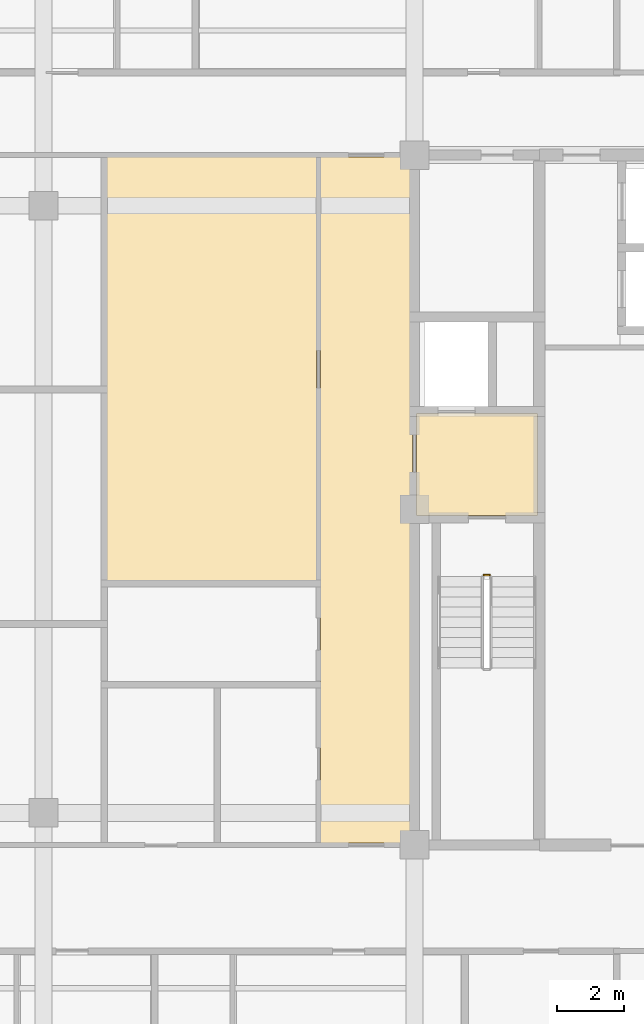
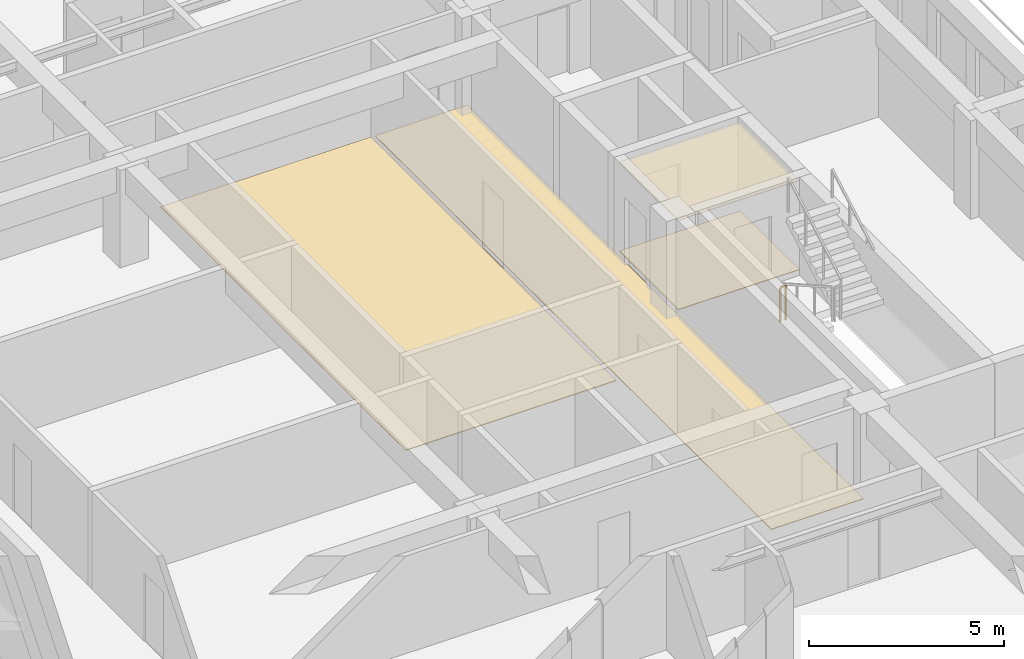
# One storey, part 13 of 14: 4 coverings, 1 railing.
"""IFC4 building model written with IfcOpenShell, lengths in metres."""

import ifcopenshell
import ifcopenshell.guid

model = None  # the IFC model being written
_history = None  # IfcOwnerHistory: only IFC2X3 demands one
_inside = {}  # id of a spatial element -> (the spatial element, [elements in it])
_under = {}  # id of a project, library or spatial element -> (it, [spatial elements below it])
_declared = {}  # id of a project -> (the project, [libraries it declares])
_typed = {}  # id of a type object -> (the type object, [elements of that type])
_made_of = {}  # id of a material, layer set ... -> (it, [elements and type objects made of it])


def new_model(schema):
    """Start an empty IFC model of exactly this schema.

    Asked for "IFC4X3", IfcOpenShell would pick the latest addendum, in which some entities
    have other attributes; the version numbers below select the first issue.
    IFC2X3 requires an IfcOwnerHistory on every rooted entity: one is made here for all.
    """
    global model, _history
    if schema == "IFC4X3":
        model = ifcopenshell.file(schema_version=(4, 3, 0, 0))
    else:
        model = ifcopenshell.file(schema=schema)
    _inside.clear()
    _under.clear()
    _declared.clear()
    _typed.clear()
    _made_of.clear()
    _history = None
    if model.schema == "IFC2X3":
        org = make("IfcOrganization", Name="unknown")
        user = make(
            "IfcPersonAndOrganization",
            ThePerson=make("IfcPerson", FamilyName="unknown"),
            TheOrganization=org,
        )
        app = make(
            "IfcApplication",
            ApplicationDeveloper=org,
            Version="unknown",
            ApplicationFullName="unknown",
            ApplicationIdentifier="unknown",
        )
        _history = make(
            "IfcOwnerHistory",
            OwningUser=user,
            OwningApplication=app,
            ChangeAction="ADDED",
            CreationDate=0,
        )
    return model


def make(cls, **values):
    """One entity of the class cls with the attributes given. An attribute that is None is left unset."""
    return model.create_entity(
        cls, **{name: value for name, value in values.items() if value is not None}
    )


def rooted(cls, **values):
    """An entity with a GlobalId (a new one), such as an element, a storey or a relation."""
    return make(cls, GlobalId=ifcopenshell.guid.new(), OwnerHistory=_history, **values)


def si_unit(unit_type, name, prefix=None):
    """IfcSIUnit, for example si_unit("LENGTHUNIT", "METRE", prefix="MILLI")."""
    return make("IfcSIUnit", UnitType=unit_type, Prefix=prefix, Name=name)


def assignment(units):
    """IfcUnitAssignment: the units of a project."""
    return None if units is None else make("IfcUnitAssignment", Units=units)


def point(xyz):
    """IfcCartesianPoint."""
    return None if xyz is None else make("IfcCartesianPoint", Coordinates=xyz)


def direction(xyz):
    """IfcDirection."""
    return None if xyz is None else make("IfcDirection", DirectionRatios=xyz)


def frame(location, z_axis=None, x_axis=None):
    """IfcAxis2Placement3D, a coordinate frame: its origin and axes. An axis left out is left unset."""
    return make(
        "IfcAxis2Placement3D",
        Location=point(location),
        Axis=direction(z_axis),
        RefDirection=direction(x_axis),
    )


def frame_2d(location, x_axis=None):
    """IfcAxis2Placement2D, a coordinate frame in the plane: its origin and x axis."""
    return make(
        "IfcAxis2Placement2D", Location=point(location), RefDirection=direction(x_axis)
    )


def origin():
    """The frame at (0, 0, 0) with its axes left unset."""
    return frame((0.0, 0.0, 0.0))


def origin_2d():
    """The frame at (0, 0) in the plane with its x axis left unset."""
    return frame_2d((0.0, 0.0))


def place(relative_to, where):
    """IfcLocalPlacement: puts the frame where relative to a parent placement (None: the world)."""
    return make(
        "IfcLocalPlacement", PlacementRelTo=relative_to, RelativePlacement=where
    )


def context(
    kind, dimensions, precision=None, world=None, true_north=None, identifier=None
):
    """IfcGeometricRepresentationContext, for example the 3D "Model" context."""
    return make(
        "IfcGeometricRepresentationContext",
        ContextIdentifier=identifier,
        ContextType=kind,
        CoordinateSpaceDimension=dimensions,
        Precision=precision,
        WorldCoordinateSystem=world,
        TrueNorth=true_north,
    )


def subcontext(parent, identifier, kind, view, scale=None):
    """IfcGeometricRepresentationSubContext, for example "Body" below "Model"."""
    return make(
        "IfcGeometricRepresentationSubContext",
        ContextIdentifier=identifier,
        ContextType=kind,
        ParentContext=parent,
        TargetScale=scale,
        TargetView=view,
    )


def project(units=None, contexts=None):
    """IfcProject with its units and contexts."""
    return rooted(
        "IfcProject",
        Name="project",
        RepresentationContexts=contexts,
        UnitsInContext=assignment(units),
    )


def spatial(cls, under=None, at=None, **own):
    """A site, building, storey or space (cls), placed at a placement, below another one or the project."""
    s = rooted(cls, ObjectPlacement=at, **own)
    if under is not None:
        _under.setdefault(under.id(), (under, []))[1].append(s)
    return s


def polyline(points):
    """IfcPolyline through the points."""
    return make("IfcPolyline", Points=[point(p) for p in points])


def profile(cls, at=None, kind="AREA", **sizes):
    """A parametric profile (cls). Its sizes go by their IFC names, for example OverallWidth=200.0."""
    return make(cls, ProfileType=kind, Position=at, **sizes)


def rectangle(**sizes):
    """IfcRectangleProfileDef."""
    return profile("IfcRectangleProfileDef", **sizes)


def outline(outer, holes=None, kind="AREA"):
    """IfcArbitraryClosedProfileDef: a profile drawn as a closed curve; with holes, ...WithVoids."""
    if holes is None:
        return make("IfcArbitraryClosedProfileDef", ProfileType=kind, OuterCurve=outer)
    return make(
        "IfcArbitraryProfileDefWithVoids",
        ProfileType=kind,
        OuterCurve=outer,
        InnerCurves=holes,
    )


def extrude(swept, where, along, depth):
    """IfcExtrudedAreaSolid: the profile swept, set in the frame where, extruded along a direction by depth."""
    return make(
        "IfcExtrudedAreaSolid",
        SweptArea=swept,
        Position=where,
        ExtrudedDirection=direction(along),
        Depth=depth,
    )


def shape(context_of_items, identifier, shape_type, items):
    """IfcShapeRepresentation: the items that make up one representation, for example the "Body"."""
    return make(
        "IfcShapeRepresentation",
        ContextOfItems=context_of_items,
        RepresentationIdentifier=identifier,
        RepresentationType=shape_type,
        Items=items,
    )


def material(Name=None, Category=None):
    """IfcMaterial."""
    return make("IfcMaterial", Name=Name, Category=Category)


def layer(
    of_material, thickness, ventilated=None, Name=None, Category=None, Priority=None
):
    """IfcMaterialLayer: one layer of a wall or slab, of a material (None: an air gap)."""
    return make(
        "IfcMaterialLayer",
        Material=of_material,
        LayerThickness=thickness,
        IsVentilated=ventilated,
        Name=Name,
        Category=Category,
        Priority=Priority,
    )


def layer_set(layers, Name=None):
    """IfcMaterialLayerSet."""
    return make("IfcMaterialLayerSet", MaterialLayers=layers, LayerSetName=Name)


def made_of(thing, what):
    """Note that an element or type object is made of a material, layer set ...; save() writes the relation."""
    if what is not None:
        _made_of.setdefault(what.id(), (what, []))[1].append(thing)
    return thing


def type_object(cls, material=None, **own):
    """A type object (cls), such as IfcWallType, which elements share."""
    return made_of(rooted(cls, **own), material)


def element(
    cls,
    number,
    at=None,
    inside=None,
    cuts=None,
    type_object=None,
    material=None,
    context=None,
    identifier="Body",
    shape_type=None,
    held_by="IfcProductDefinitionShape",
    body=None,
    shapes=None,
    **own,
):
    """One element of the class cls, such as IfcWall. Its Tag is "e" and its number.

    at: its placement. inside: the storey or other place that contains it. cuts: it is an
    opening in that element (IfcRelVoidsElement). A single representation is given by context,
    identifier, shape_type and body (its items); several are given by shapes. held_by: the class
    of the entity that holds the representations. save() writes the other relations.
    """
    e = rooted(cls, Tag="e%d" % number, ObjectPlacement=at, **own)
    if body is not None:
        shapes = [shape(context, identifier, shape_type, body)]
    if shapes is not None:
        e.Representation = make(held_by, Representations=shapes)
    if inside is not None:
        _inside.setdefault(inside.id(), (inside, []))[1].append(e)
    if cuts is not None:
        rooted(
            "IfcRelVoidsElement", RelatingBuildingElement=cuts, RelatedOpeningElement=e
        )
    if type_object is not None:
        _typed.setdefault(type_object.id(), (type_object, []))[1].append(e)
    return made_of(e, material)


def aggregate(whole, parts):
    """IfcRelAggregates: a whole, such as a stair, and the parts it consists of."""
    return rooted("IfcRelAggregates", RelatingObject=whole, RelatedObjects=parts)


def save(model, path):
    """Write the relations noted so far, then the file.

    IfcRelAggregates (storeys below a building ...), IfcRelContainedInSpatialStructure (elements
    in a storey), IfcRelDefinesByType, IfcRelAssociatesMaterial and IfcRelDeclares: one each for
    every whole, place, type object, material and project.
    """
    for whole, parts in _under.values():
        aggregate(whole, parts)
    for where, things in _inside.values():
        rooted(
            "IfcRelContainedInSpatialStructure",
            RelatedElements=things,
            RelatingStructure=where,
        )
    for kind, things in _typed.values():
        rooted("IfcRelDefinesByType", RelatedObjects=things, RelatingType=kind)
    for what, things in _made_of.values():
        rooted("IfcRelAssociatesMaterial", RelatedObjects=things, RelatingMaterial=what)
    for by, libraries in _declared.values():
        rooted("IfcRelDeclares", RelatingContext=by, RelatedDefinitions=libraries)
    model.write(path)


model = new_model("IFC4")

# Units and contexts
model_context = context("Model", 3, precision=1e-05, world=origin(), true_north=direction((0.0, 1.0)))
body_context = subcontext(model_context, "Body", "Model", "MODEL_VIEW")
ifc_project = project(units=[si_unit("LENGTHUNIT", "METRE"), si_unit("AREAUNIT", "SQUARE_METRE"), si_unit("VOLUMEUNIT", "CUBIC_METRE"), si_unit("PLANEANGLEUNIT", "RADIAN"), si_unit("MASSUNIT", "GRAM", prefix="KILO")], contexts=[model_context])

# Site, building, storey
site_placement = place(None, origin())
site = spatial("IfcSite", under=ifc_project, at=site_placement, CompositionType="ELEMENT")
building_placement = place(site_placement, origin())
building = spatial("IfcBuilding", under=site, at=building_placement, Name="Zulmaris Gate Convention Tower", CompositionType="ELEMENT")
storey_placement = place(building_placement, frame((0.0, 0.0, 208.4599609375)))
storey = spatial("IfcBuildingStorey", under=building, at=storey_placement, Name="L54", CompositionType="ELEMENT", Elevation=208.4599609375)

# Coverings
ifc_material_1 = material(Name="Mineral Fibre Acoustic Ceiling Tile")
ifc_layer_1 = layer(ifc_material_1, 0.02001953125, Name="Mineral Fibre Acoustic Ceiling Tile")
ifc_layer_set_1 = layer_set([ifc_layer_1], Name="Mineral Fibre Acoustic Ceiling Tile")
covering_type_1 = type_object("IfcCoveringType", Name="CLG-ACOUSTIC-600", PredefinedType="CEILING", material=ifc_layer_set_1)
covering_1_placement = place(storey_placement, frame((0.0, 0.0, 2.794921875)))
element("IfcCovering", 1, at=covering_1_placement, inside=storey, type_object=covering_type_1, Name="CLG-L54-R08", PredefinedType="CEILING", context=body_context, shape_type="SweptSolid", body=[
    extrude(outline(polyline([(11.06005859375, -0.18994140625), (14.639892578125, -0.18994140625), (14.639892578125, 2.840087890625), (11.06005859375, 2.840087890625), (11.06005859375, -0.18994140625)])), origin(), (0.0, 0.0, 1.0), 0.02001953125),
])
ifc_material_2 = material(Name="Woven Acoustic Wool Carpet Tile")
ifc_layer_2 = layer(ifc_material_2, 0.02001953125, Name="Woven Acoustic Wool Carpet Tile")
ifc_layer_set_2 = layer_set([ifc_layer_2], Name="Woven Acoustic Wool Carpet Tile")
covering_type_2 = type_object("IfcCoveringType", Name="FLR-CARPET-12", PredefinedType="FLOORING", material=ifc_layer_set_2)
covering_2_placement = place(storey_placement, origin())
element("IfcCovering", 2, at=covering_2_placement, inside=storey, type_object=covering_type_2, Name="FLR-L54-R08", PredefinedType="FLOORING", context=body_context, shape_type="SweptSolid", body=[
    extrude(outline(polyline([(11.06005859375, -0.18994140625), (14.639892578125, -0.18994140625), (14.639892578125, 2.840087890625), (11.06005859375, 2.840087890625), (11.06005859375, -0.18994140625)])), origin(), (0.0, 0.0, 1.0), 0.02001953125),
])
covering_3_placement = place(storey_placement, origin())
element("IfcCovering", 3, at=covering_3_placement, inside=storey, type_object=covering_type_2, Name="FLR-L54-R28", PredefinedType="FLOORING", context=body_context, shape_type="SweptSolid", body=[
    extrude(outline(polyline([(8.2099609375, -9.889892578125), (10.93994140625, -9.889892578125), (10.93994140625, 10.43994140625), (8.2099609375, 10.43994140625), (8.2099609375, -9.889892578125)])), origin(), (0.0, 0.0, 1.0), 0.02001953125),
])
ifc_material_3 = material(Name="Engineered Teak Parquet Flooring")
ifc_layer_3 = layer(ifc_material_3, 0.02001953125, Name="Engineered Teak Parquet Flooring")
ifc_layer_set_3 = layer_set([ifc_layer_3], Name="Engineered Teak Parquet Flooring")
covering_type_3 = type_object("IfcCoveringType", Name="FLR-TIMBER-18", PredefinedType="FLOORING", material=ifc_layer_set_3)
covering_4_placement = place(storey_placement, origin())
element("IfcCovering", 4, at=covering_4_placement, inside=storey, type_object=covering_type_3, Name="FLR-L54-R51", PredefinedType="FLOORING", context=body_context, shape_type="SweptSolid", body=[
    extrude(outline(polyline([(1.860107421875, -2.139892578125), (8.090087890625, -2.139892578125), (8.090087890625, 10.43994140625), (1.860107421875, 10.43994140625), (1.860107421875, -2.139892578125)])), origin(), (0.0, 0.0, 1.0), 0.02001953125),
])

# Railing
ifc_material_4 = material(Name="Painted Galvanised Steel", Category="steel")
railing_type = type_object("IfcRailingType", Name="RL-STG-1150", PredefinedType="GUARDRAIL", material=ifc_material_4)
railing_placement = place(storey_placement, frame((13.06005859375, -1.949951171875, 0.0)))
element("IfcRailing", 5, at=railing_placement, inside=storey, type_object=railing_type, Name="L54 ST-2 stair guard 4", PredefinedType="GUARDRAIL", context=body_context, shape_type="SweptSolid", body=[
    extrude(rectangle(XDim=0.048095703125, YDim=0.048095703125, at=origin_2d()), frame((0.0, 0.0, 1.076171875), z_axis=(1.0, 0.0, 0.0), x_axis=(0.0, 1.0, 0.0)), (0.0, 0.0, 1.0), 0.159912109375),
    extrude(rectangle(XDim=0.0419921875, YDim=0.0419921875, at=origin_2d()), origin(), (0.0, 0.0, 1.0), 1.052001953125),
    extrude(rectangle(XDim=0.0419921875, YDim=0.0419921875, at=origin_2d()), frame((0.159912109375, 0.0, 0.0)), (0.0, 0.0, 1.0), 1.052001953125),
])

save(model, "model.ifc")
